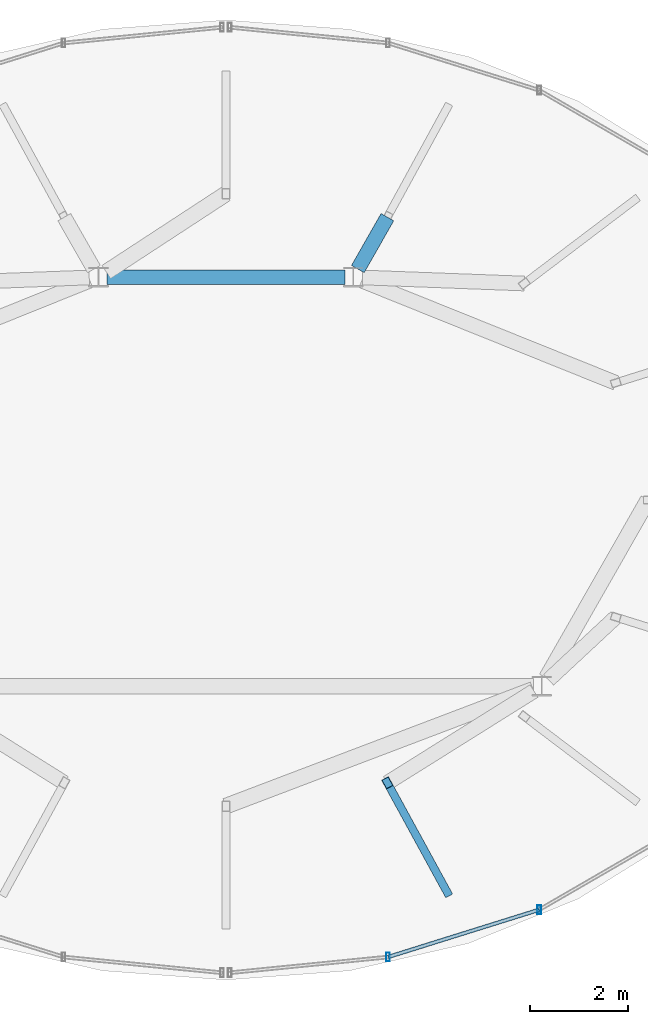
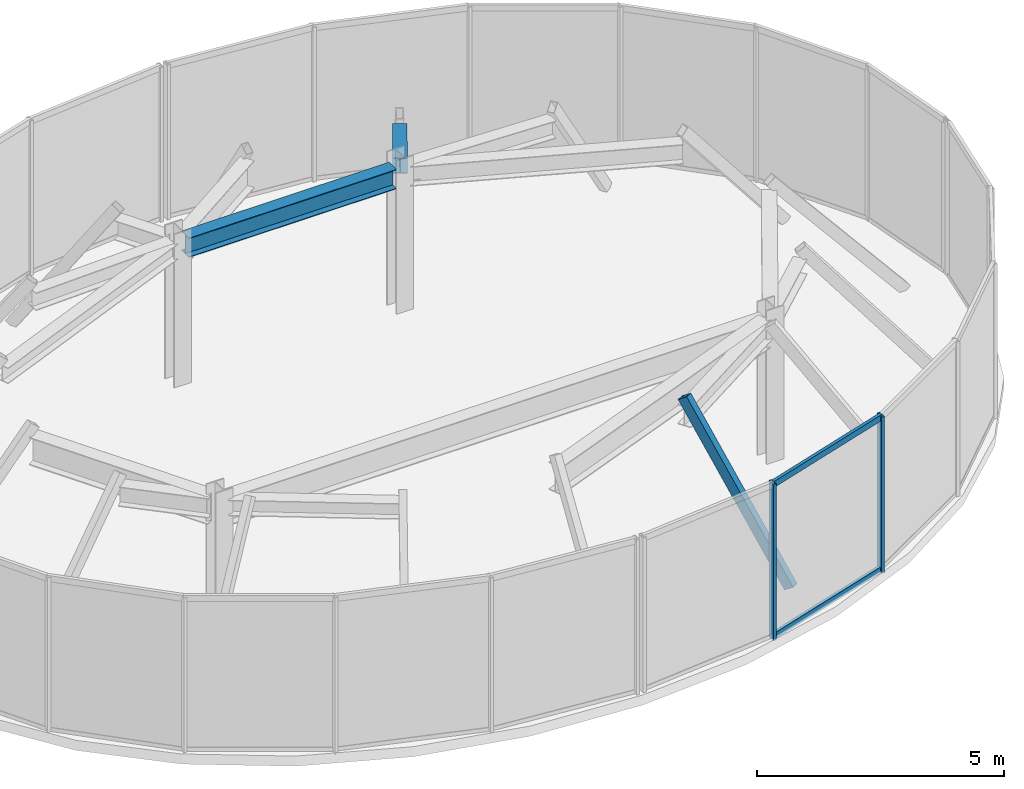
# One storey, part 5 of 10: 5 members, 2 beams, 1 element without a shape of its own.
"""IFC4 building model written with IfcOpenShell, lengths in metres."""

from ifc_helpers import new_model, si_unit, direction, frame, origin, origin_2d, place, context, subcontext, project, spatial, hollow_rectangle, i_section, extrude, material, material_profile, profile_set, type_object, element, aggregate, save


model = new_model("IFC4")

# Units and contexts
model_context = context("Model", 3, precision=1e-05, world=origin(), true_north=direction((0.0, 1.0)))
body_context = subcontext(model_context, "Body", "Model", "MODEL_VIEW")
ifc_project = project(units=[si_unit("LENGTHUNIT", "METRE"), si_unit("AREAUNIT", "SQUARE_METRE"), si_unit("VOLUMEUNIT", "CUBIC_METRE"), si_unit("PLANEANGLEUNIT", "RADIAN"), si_unit("MASSUNIT", "GRAM", prefix="KILO")], contexts=[model_context])

# Site, building, storey
site_placement = place(None, origin())
site = spatial("IfcSite", under=ifc_project, at=site_placement, CompositionType="ELEMENT")
building_placement = place(site_placement, origin())
building = spatial("IfcBuilding", under=site, at=building_placement, Name="Vorneva Point Tower", CompositionType="ELEMENT")
storey_placement = place(building_placement, frame((0.0, 0.0, 306.800048828125)))
storey = spatial("IfcBuildingStorey", under=building, at=storey_placement, Name="C04", CompositionType="ELEMENT", Elevation=306.800048828125)

# Beams
ifc_material_1 = material(Name="Steel S355", Category="steel")
ifc_material_profile_1 = material_profile(ifc_material_1, i_section(OverallWidth=0.299072265625, OverallDepth=0.383056640625, WebThickness=0.009521484375, FlangeThickness=0.012451171875, at=origin_2d()), Name="40Sh1")
ifc_profile_set_1 = profile_set([ifc_material_profile_1], Name="Steel S355")
beam_type_1 = type_object("IfcBeamType", Name="BM-GRD-40Sh1", PredefinedType="USERDEFINED", material=ifc_profile_set_1)
beam_1_placement = place(storey_placement, frame((41.298095703125, 31.774169921875, 3.3583984375), z_axis=(-0.49540555753, -0.86866180621, 0.0), x_axis=(0.86866180621, -0.49540555753, 0.0)))
element("IfcBeam", 1, at=beam_1_placement, inside=storey, type_object=beam_type_1, Name="C04 Radial Primary Girder 04", ObjectType="GIRDER", PredefinedType="USERDEFINED", context=body_context, shape_type="SweptSolid", body=[
    extrude(i_section(OverallWidth=0.299072265625, OverallDepth=0.383056640625, WebThickness=0.009521484375, FlangeThickness=0.012451171875, at=origin_2d()), origin(), (0.0, 0.0, 1.0), 1.21923828125),
])
ifc_material_profile_2 = material_profile(ifc_material_1, i_section(OverallWidth=0.300048828125, OverallDepth=0.48193359375, WebThickness=0.010986328125, FlangeThickness=0.014892578125, at=origin_2d()), Name="50Sh1")
ifc_profile_set_2 = profile_set([ifc_material_profile_2], Name="Steel S355")
beam_type_2 = type_object("IfcBeamType", Name="BM-GRD-50Sh1", PredefinedType="USERDEFINED", material=ifc_profile_set_2)
beam_2_placement = place(storey_placement, frame((35.570068359375, 30.550048828125, 3.308837890625), z_axis=(1.0, 0.0, 0.0), x_axis=(0.0, 1.0, 0.0)))
element("IfcBeam", 2, at=beam_2_placement, inside=storey, type_object=beam_type_2, Name="C04 Core Tie Girder CT2", ObjectType="GIRDER", PredefinedType="USERDEFINED", context=body_context, shape_type="SweptSolid", body=[
    extrude(i_section(OverallWidth=0.300048828125, OverallDepth=0.48193359375, WebThickness=0.010986328125, FlangeThickness=0.014892578125, at=origin_2d()), origin(), (0.0, 0.0, 1.0), 4.85986328125),
])

# Curtain wall, members
ifc_material_2 = material(Name="Pale anodised aluminium", Category="aluminium")
curtain_wall_type = type_object("IfcCurtainWallType", Name="CW-CRN-SYS", PredefinedType="NOTDEFINED", material=ifc_material_2)
curtain_wall_placement = place(storey_placement, origin())
curtain_wall = element("IfcCurtainWall", 3, at=curtain_wall_placement, inside=storey, type_object=curtain_wall_type, Name="C04 Unitised Curtain Wall CW-C04-Q4", PredefinedType="NOTDEFINED")
ifc_material_profile_3 = material_profile(ifc_material_2, hollow_rectangle(XDim=0.074951171875, YDim=0.179931640625, WallThickness=0.00390625, at=origin_2d()), Name="AL-MUL 180x75x4")
ifc_profile_set_3 = profile_set([ifc_material_profile_3], Name="Pale anodised aluminium")
member_type_1 = type_object("IfcMemberType", Name="CW-MUL-180", PredefinedType="MULLION", material=ifc_profile_set_3)
member_1_placement = place(storey_placement, frame((41.311767578125, 16.669189453125, -0.0400390625), z_axis=(0.0, 0.0, 1.0), x_axis=(1.0, 0.0, 0.0)))
member_1 = element("IfcMember", 4, at=member_1_placement, type_object=member_type_1, Name="CW-C04-Q4 Mullion 02", PredefinedType="MULLION", context=body_context, shape_type="SweptSolid", body=[
    extrude(hollow_rectangle(XDim=0.074951171875, YDim=0.179931640625, WallThickness=0.00390625, at=origin_2d()), origin(), (0.0, 0.0, 1.0), 3.869873046875),
])
member_2_placement = place(storey_placement, frame((44.39794921875, 17.63427734375, -0.0400390625), z_axis=(0.0, 0.0, 1.0), x_axis=(1.0, 0.0, 0.0)))
member_2 = element("IfcMember", 5, at=member_2_placement, type_object=member_type_1, Name="CW-C04-Q4 Mullion 03", PredefinedType="MULLION", context=body_context, shape_type="SweptSolid", body=[
    extrude(hollow_rectangle(XDim=0.074951171875, YDim=0.179931640625, WallThickness=0.00390625, at=origin_2d()), origin(), (0.0, 0.0, 1.0), 3.869873046875),
])
ifc_material_profile_4 = material_profile(ifc_material_2, hollow_rectangle(XDim=0.074951171875, YDim=0.14990234375, WallThickness=0.00390625, at=origin_2d()), Name="AL-TRN 150x75x4")
ifc_profile_set_4 = profile_set([ifc_material_profile_4], Name="Pale anodised aluminium")
member_type_2 = type_object("IfcMemberType", Name="CW-TRN-150", PredefinedType="USERDEFINED", material=ifc_profile_set_4)
member_3_placement = place(storey_placement, frame((41.311767578125, 16.669189453125, 0.02001953125), z_axis=(0.954422191614, 0.298459846804, 0.0), x_axis=(-0.298459846804, 0.954422191614, 0.0)))
member_3 = element("IfcMember", 6, at=member_3_placement, type_object=member_type_2, Name="CW-C04-Q4 Transom 02.1", ObjectType="TRANSOM", PredefinedType="USERDEFINED", context=body_context, shape_type="SweptSolid", body=[
    extrude(hollow_rectangle(XDim=0.074951171875, YDim=0.14990234375, WallThickness=0.00390625, at=origin_2d()), origin(), (0.0, 0.0, 1.0), 3.233642578125),
])
member_4_placement = place(storey_placement, frame((41.311767578125, 16.669189453125, 3.780029296875), z_axis=(0.954422191614, 0.298459846804, 0.0), x_axis=(-0.298459846804, 0.954422191614, 0.0)))
member_4 = element("IfcMember", 7, at=member_4_placement, type_object=member_type_2, Name="CW-C04-Q4 Transom 02.2", ObjectType="TRANSOM", PredefinedType="USERDEFINED", context=body_context, shape_type="SweptSolid", body=[
    extrude(hollow_rectangle(XDim=0.074951171875, YDim=0.14990234375, WallThickness=0.00390625, at=origin_2d()), origin(), (0.0, 0.0, 1.0), 3.233642578125),
])
aggregate(curtain_wall, [member_1, member_2, member_3, member_4])

# Member
ifc_material_profile_5 = material_profile(ifc_material_1, hollow_rectangle(XDim=0.159912109375, YDim=0.25, WallThickness=0.010009765625, at=origin_2d()), Name="PP 250x160x10")
ifc_profile_set_5 = profile_set([ifc_material_profile_5], Name="Steel S355")
member_type_3 = type_object("IfcMemberType", Name="MBR-CRN-PP250", PredefinedType="CHORD", material=ifc_profile_set_5)
member_5_placement = place(storey_placement, frame((42.51025390625, 18.00830078125, 0.0), z_axis=(-0.265610072892, 0.485908618746, 0.832672866981), x_axis=(-0.877463262147, -0.479643850772, 0.0)))
element("IfcMember", 8, at=member_5_placement, inside=storey, type_object=member_type_3, Name="Crown Tapered Frame Rib C04-14", PredefinedType="CHORD", context=body_context, shape_type="SweptSolid", body=[
    extrude(hollow_rectangle(XDim=0.159912109375, YDim=0.25, WallThickness=0.010009765625, at=origin_2d()), origin(), (0.0, 0.0, 1.0), 4.563720703125),
])

save(model, "model.ifc")
